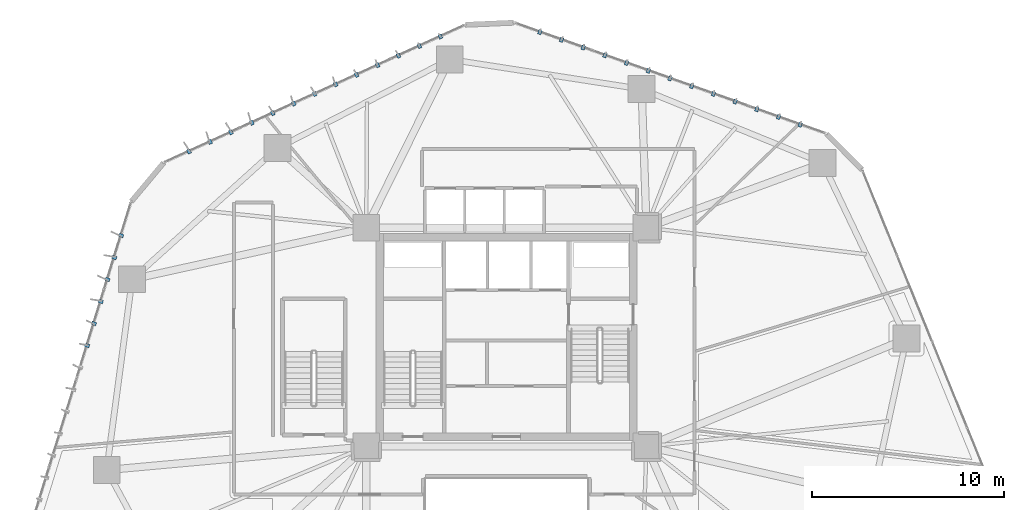
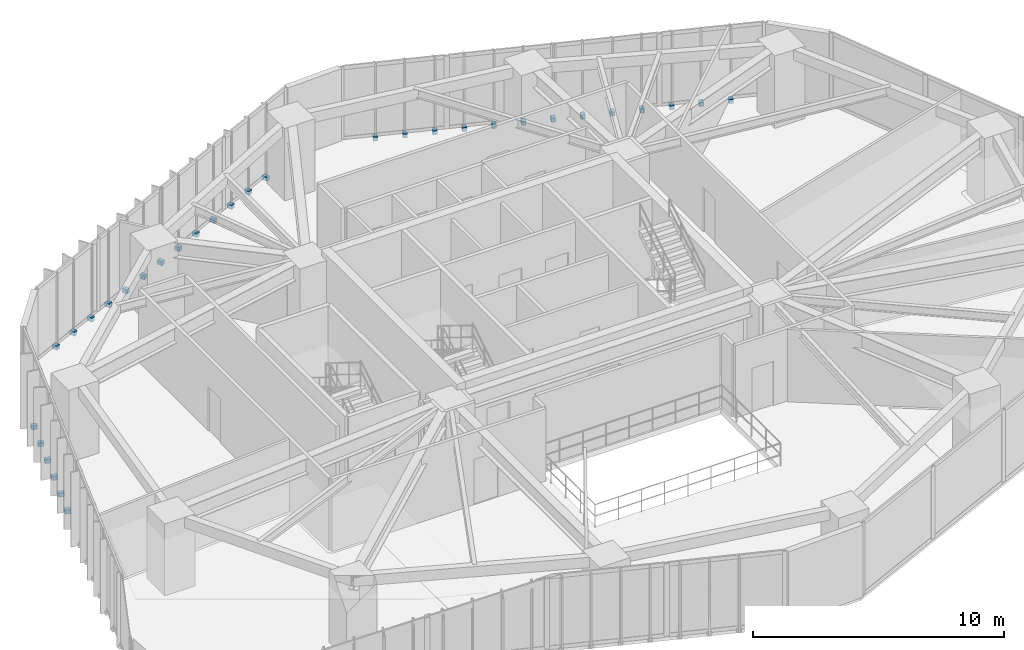
# One storey, part 21 of 24: 32 discrete accessories.
"""IFC4 building model written with IfcOpenShell, lengths in metres."""

from ifc_helpers import new_model, si_unit, direction, frame, origin, origin_2d, place, context, subcontext, project, spatial, rectangle, extrude, source, transform, mapped, material, type_object, type_shapes, element, save


model = new_model("IFC4")

# Units and contexts
model_context = context("Model", 3, precision=1e-05, world=origin(), true_north=direction((0.0, 1.0)))
body_context = subcontext(model_context, "Body", "Model", "MODEL_VIEW")
ifc_project = project(units=[si_unit("LENGTHUNIT", "METRE"), si_unit("AREAUNIT", "SQUARE_METRE"), si_unit("VOLUMEUNIT", "CUBIC_METRE"), si_unit("PLANEANGLEUNIT", "RADIAN"), si_unit("MASSUNIT", "GRAM", prefix="KILO")], contexts=[model_context])

# Site, building, storey
site_placement = place(None, origin())
site = spatial("IfcSite", under=ifc_project, at=site_placement, CompositionType="ELEMENT")
building_placement = place(site_placement, origin())
building = spatial("IfcBuilding", under=site, at=building_placement, Name="Talar Marvaseh", CompositionType="ELEMENT")
storey_placement = place(building_placement, frame((0.0, 0.0, 31.60009765625)))
storey = spatial("IfcBuildingStorey", under=building, at=storey_placement, Name="L07", CompositionType="ELEMENT", Elevation=31.60009765625)

# Discrete accessories
ifc_material = material(Name="Stainless Steel Grade 316", Category="steel")
discrete_accessory_type = type_object("IfcDiscreteAccessoryType", Name="Stainless Slab-Edge Fin Mounting Bracket", PredefinedType="BRACKET", material=ifc_material)
shared_shape = source(origin(), body_context, "Body", "SweptSolid", [
    extrude(rectangle(XDim=0.239990234375, YDim=0.179931640625, at=origin_2d()), origin(), (0.0, 0.0, 1.0), 0.199951171875),
])
type_shapes(discrete_accessory_type, [shared_shape])
for number, where, z_axis, x_axis, name in (
    (1, (4.15478515625, 30.7587890625, -0.18017578125), (0.0, 0.0, 1.0), (-0.955536052301, 0.294874299918, 0.0), "L07 Vertical Fin Slab-Edge Bracket"),
    (2, (4.5087890625, 31.905517578125, -0.18017578125), (0.0, 0.0, 1.0), (-0.955536052301, 0.294874299918, 0.0), "L07 Vertical Fin Slab-Edge Bracket"),
    (3, (4.862548828125, 33.052001953125, -0.18017578125), (0.0, 0.0, 1.0), (-0.955536052301, 0.294874299918, 0.0), "L07 Vertical Fin Slab-Edge Bracket"),
    (4, (5.216552734375, 34.19873046875, -0.18017578125), (0.0, 0.0, 1.0), (-0.955536052301, 0.294874299918, 0.0), "L07 Vertical Fin Slab-Edge Bracket"),
    (5, (5.570556640625, 35.34521484375, -0.18017578125), (0.0, 0.0, 1.0), (-0.955536052301, 0.294874299918, 0.0), "L07 Vertical Fin Slab-Edge Bracket"),
    (6, (5.92431640625, 36.491943359375, -0.18017578125), (0.0, 0.0, 1.0), (-0.955536052301, 0.294874299918, 0.0), "L07 Vertical Fin Slab-Edge Bracket"),
    (7, (9.46337890625, 40.873291015625, -0.18017578125), (0.0, 0.0, 1.0), (-0.415804660306, 0.909453948514, 0.0), "L07 Vertical Fin Slab-Edge Bracket"),
    (8, (10.5546875, 41.372314453125, -0.18017578125), (0.0, 0.0, 1.0), (-0.415804660306, 0.909453948514, 0.0), "L07 Vertical Fin Slab-Edge Bracket"),
    (9, (11.64599609375, 41.871337890625, -0.18017578125), (0.0, 0.0, 1.0), (-0.415804660306, 0.909453948514, 0.0), "L07 Vertical Fin Slab-Edge Bracket"),
    (10, (12.7373046875, 42.3701171875, -0.18017578125), (0.0, 0.0, 1.0), (-0.415804660306, 0.909453948514, 0.0), "L07 Vertical Fin Slab-Edge Bracket"),
    (11, (13.828857421875, 42.869140625, -0.18017578125), (0.0, 0.0, 1.0), (-0.415804660306, 0.909453948514, 0.0), "L07 Vertical Fin Slab-Edge Bracket"),
    (12, (14.920166015625, 43.3681640625, -0.18017578125), (0.0, 0.0, 1.0), (-0.415804660306, 0.909453948514, 0.0), "L07 Vertical Fin Slab-Edge Bracket"),
    (13, (16.011474609375, 43.866943359375, -0.18017578125), (0.0, 0.0, 1.0), (-0.415804660306, 0.909453948514, 0.0), "L07 Vertical Fin Slab-Edge Bracket"),
    (14, (17.102783203125, 44.365966796875, -0.18017578125), (0.0, 0.0, 1.0), (-0.415804660306, 0.909453948514, 0.0), "L07 Vertical Fin Slab-Edge Bracket"),
    (15, (18.194091796875, 44.86474609375, -0.18017578125), (0.0, 0.0, 1.0), (-0.415804660306, 0.909453948514, 0.0), "L07 Vertical Fin Slab-Edge Bracket"),
    (16, (19.28564453125, 45.36376953125, -0.18017578125), (0.0, 0.0, 1.0), (-0.415804660306, 0.909453948514, 0.0), "L07 Vertical Fin Slab-Edge Bracket"),
    (17, (20.376953125, 45.86279296875, -0.18017578125), (0.0, 0.0, 1.0), (-0.415804660306, 0.909453948514, 0.0), "L07 Vertical Fin Slab-Edge Bracket"),
    (18, (21.46826171875, 46.361572265625, -0.18017578125), (0.0, 0.0, 1.0), (-0.415804660306, 0.909453948514, 0.0), "L07 Vertical Fin Slab-Edge Bracket"),
    (19, (22.559814453125, 46.860595703125, -0.18017578125), (0.0, 0.0, 1.0), (-0.415804660306, 0.909453948514, 0.0), "L07 Vertical Fin Slab-Edge Bracket"),
    (20, (27.73974609375, 47.086669921875, -0.18017578125), (0.0, 0.0, 1.0), (0.334958263661, 0.942232965675, 0.0), "L07 Vertical Fin Slab-Edge Bracket"),
    (21, (28.87060546875, 46.684814453125, -0.18017578125), (0.0, 0.0, 1.0), (0.334958263661, 0.942232965675, 0.0), "L07 Vertical Fin Slab-Edge Bracket"),
    (22, (30.001220703125, 46.28271484375, -0.18017578125), (0.0, 0.0, 1.0), (0.334958263661, 0.942232965675, 0.0), "L07 Vertical Fin Slab-Edge Bracket"),
    (23, (31.1318359375, 45.880859375, -0.18017578125), (0.0, 0.0, 1.0), (0.334958263661, 0.942232965675, 0.0), "L07 Vertical Fin Slab-Edge Bracket"),
    (24, (32.2626953125, 45.47900390625, -0.18017578125), (0.0, 0.0, 1.0), (0.334958263661, 0.942232965675, 0.0), "L07 Vertical Fin Slab-Edge Bracket"),
    (25, (33.393310546875, 45.0771484375, -0.18017578125), (0.0, 0.0, 1.0), (0.334958263661, 0.942232965675, 0.0), "L07 Vertical Fin Slab-Edge Bracket"),
    (26, (34.52392578125, 44.67529296875, -0.18017578125), (0.0, 0.0, 1.0), (0.334958263661, 0.942232965675, 0.0), "L07 Vertical Fin Slab-Edge Bracket"),
    (27, (35.65478515625, 44.273193359375, -0.18017578125), (0.0, 0.0, 1.0), (0.334958263661, 0.942232965675, 0.0), "L07 Vertical Fin Slab-Edge Bracket"),
    (28, (36.785400390625, 43.871337890625, -0.18017578125), (0.0, 0.0, 1.0), (0.334958263661, 0.942232965675, 0.0), "L07 Vertical Fin Slab-Edge Bracket"),
    (29, (37.916015625, 43.469482421875, -0.18017578125), (0.0, 0.0, 1.0), (0.334958263661, 0.942232965675, 0.0), "L07 Vertical Fin Slab-Edge Bracket"),
    (30, (39.046875, 43.067626953125, -0.18017578125), (0.0, 0.0, 1.0), (0.334958263661, 0.942232965675, 0.0), "L07 Vertical Fin Slab-Edge Bracket"),
    (31, (40.177490234375, 42.66552734375, -0.18017578125), (0.0, 0.0, 1.0), (0.334958263661, 0.942232965675, 0.0), "L07 Vertical Fin Slab-Edge Bracket"),
    (32, (41.30810546875, 42.263671875, -0.18017578125), (0.0, 0.0, 1.0), (0.334958263661, 0.942232965675, 0.0), "L07 Vertical Fin Slab-Edge Bracket"),
):
    element("IfcDiscreteAccessory", number, at=place(storey_placement, frame(where, z_axis=z_axis, x_axis=x_axis)), inside=storey, type_object=discrete_accessory_type, Name=name, PredefinedType="BRACKET", context=body_context, shape_type="MappedRepresentation", body=[
        mapped(shared_shape, transform((0.0, 0.0, 0.0), x_axis=(1.0, 0.0, 0.0), y_axis=(0.0, 1.0, 0.0), z_axis=(0.0, 0.0, 1.0), scale=1.0)),
    ])

save(model, "model.ifc")
